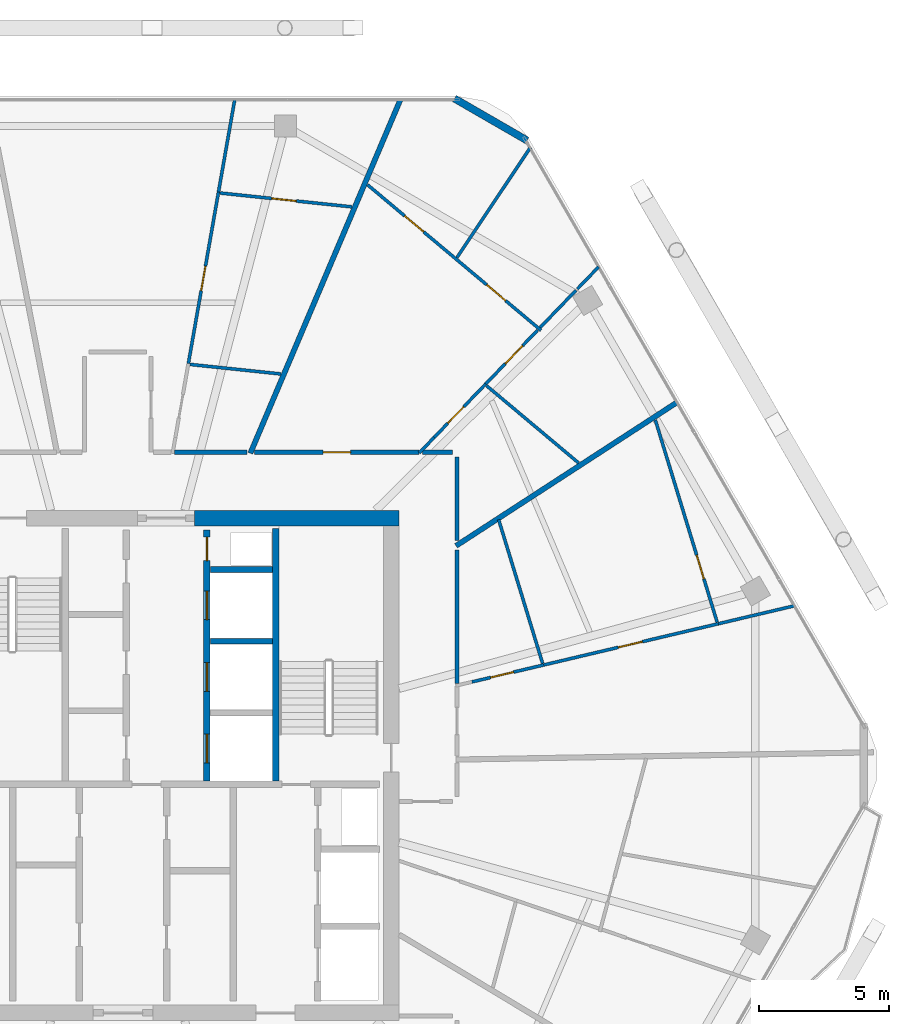
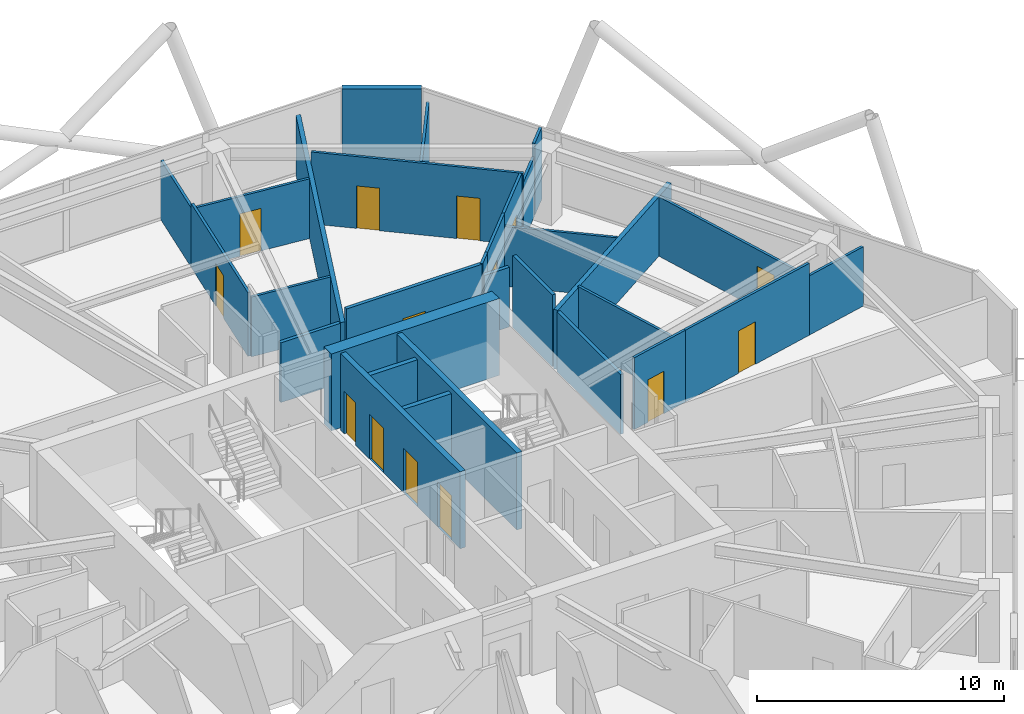
# One storey, part 24 of 29: 30 walls, 14 doors, 14 openings.
"""IFC4 building model written with IfcOpenShell, lengths in metres."""

from ifc_helpers import new_model, si_unit, direction, frame, frame_2d, origin, place, context, subcontext, project, spatial, rectangle, extrude, material, layer, layer_set, type_object, element, fill, save


model = new_model("IFC4")

# Units and contexts
model_context = context("Model", 3, precision=1e-05, world=origin(), true_north=direction((0.0, 1.0)))
body_context = subcontext(model_context, "Body", "Model", "MODEL_VIEW")
ifc_project = project(units=[si_unit("LENGTHUNIT", "METRE"), si_unit("AREAUNIT", "SQUARE_METRE"), si_unit("VOLUMEUNIT", "CUBIC_METRE"), si_unit("PLANEANGLEUNIT", "RADIAN"), si_unit("MASSUNIT", "GRAM", prefix="KILO")], contexts=[model_context])

# Site, building, storey
site_placement = place(None, origin())
site = spatial("IfcSite", under=ifc_project, at=site_placement, CompositionType="ELEMENT")
building_placement = place(site_placement, origin())
building = spatial("IfcBuilding", under=site, at=building_placement, Name="Zuhravey Tower", CompositionType="ELEMENT")
storey_placement = place(building_placement, frame((0.0, 0.0, 292.0)))
storey = spatial("IfcBuildingStorey", under=building, at=storey_placement, Name="L74", CompositionType="ELEMENT", Elevation=292.0)

# Wall
ifc_material_1 = material(Name="Concrete C50/60", Category="concrete")
ifc_layer_1 = layer(ifc_material_1, 0.60009765625)
ifc_layer_set_1 = layer_set([ifc_layer_1], Name="Concrete C50/60")
wall_type_1 = type_object("IfcWallType", Name="Core Shear Wall 600", PredefinedType="SHEAR", material=ifc_layer_set_1)
wall_1_placement = place(storey_placement, frame((46.800048828125, 41.5, 0.0), z_axis=(0.0, 0.0, 1.0), x_axis=(-1.0, 0.0, 0.0)))
element("IfcWall", 1, at=wall_1_placement, inside=storey, type_object=wall_type_1, Name="L74 North-East Core Shear Wall CW60", PredefinedType="SHEAR", context=body_context, shape_type="SweptSolid", body=[
    extrude(rectangle(XDim=7.85009765625, YDim=0.60009765625, at=frame_2d((3.925048828125, 0.0))), origin(), (0.0, 0.0, 1.0), 3.800048828125),
])

# Wall, opening, door
ifc_material_2 = material(Name="Gypsum fire-rated stud partition")
ifc_layer_2 = layer(ifc_material_2, 0.159912109375)
ifc_layer_set_2 = layer_set([ifc_layer_2], Name="Gypsum fire-rated stud partition")
wall_type_2 = type_object("IfcWallType", Name="Corridor Fire Partition 160", PredefinedType="PARTITIONING", material=ifc_layer_set_2)
wall_2_placement = place(storey_placement, frame((47.5732421875, 44.030029296875, 0.0), z_axis=(0.0, 0.0, 1.0), x_axis=(-1.0, 0.0, 0.0)))
wall_2 = element("IfcWall", 2, at=wall_2_placement, inside=storey, type_object=wall_type_2, Name="L74 IW16 Partition 056", PredefinedType="PARTITIONING", context=body_context, shape_type="SweptSolid", body=[
    extrude(rectangle(XDim=6.320556640625, YDim=0.159912109375, at=frame_2d((3.16015625, 0.0))), origin(), (0.0, 0.0, 1.0), 3.550048828125),
])
opening_1_placement = place(wall_2_placement, frame((2.63525390625, 0.0, 0.0)))
opening_1 = element("IfcOpeningElement", 3, at=opening_1_placement, cuts=wall_2, Name="Opening APD1", PredefinedType="OPENING", context=body_context, shape_type="SweptSolid", body=[
    extrude(rectangle(XDim=1.050048828125, YDim=2.14990234375, at=frame_2d((0.52490234375, 1.074951171875))), frame((0.0, 0.092041015625, 0.0), z_axis=(0.0, -1.0, 0.0), x_axis=(1.0, 0.0, 0.0)), (0.0, 0.0, 1.0), 0.183837890625),
])
ifc_material_3 = material(Name="Solid-core oak fire-rated leaf")
door_type_1 = type_object("IfcDoorType", Name="Apartment Entrance Fire Door 1050x2150", OperationType="NOTDEFINED", PredefinedType="DOOR", material=ifc_material_3)
door_1_placement = place(opening_1_placement, frame((1.050048828125, 0.0, 0.0), z_axis=(0.0, 0.0, 1.0), x_axis=(-1.0, 0.0, 0.0)))
door_1 = element("IfcDoor", 4, at=door_1_placement, inside=storey, type_object=door_type_1, Name="L74 Door 056.1", OperationType="SINGLE_SWING_RIGHT", OverallHeight=2.14990234375, OverallWidth=1.050048828125, PredefinedType="DOOR", context=body_context, shape_type="SweptSolid", body=[
    extrude(rectangle(XDim=1.050048828125, YDim=2.14990234375, at=frame_2d((0.52490234375, 1.074951171875))), frame((0.0, 0.02490234375, 0.0), z_axis=(0.0, -1.0, 0.0), x_axis=(1.0, 0.0, 0.0)), (0.0, 0.0, 1.0), 0.050048828125),
])
fill(opening_1, door_1)

# Walls
wall_3_placement = place(storey_placement, frame((49.030029296875, 35.145263671875, 0.0), z_axis=(0.0, 0.0, 1.0), x_axis=(0.0, 1.0, 0.0)))
element("IfcWall", 5, at=wall_3_placement, inside=storey, type_object=wall_type_2, Name="L74 IW16 Partition 123", PredefinedType="PARTITIONING", context=body_context, shape_type="SweptSolid", body=[
    extrude(rectangle(XDim=5.132080078125, YDim=0.159912109375, at=frame_2d((2.56591796875, 0.0))), origin(), (0.0, 0.0, 1.0), 2.949951171875),
])
wall_4_placement = place(storey_placement, frame((49.030029296875, 40.6484375, 0.0), z_axis=(0.0, 0.0, 1.0), x_axis=(0.0, 1.0, 0.0)))
element("IfcWall", 6, at=wall_4_placement, inside=storey, type_object=wall_type_2, Name="L74 IW16 Partition 124", PredefinedType="PARTITIONING", context=body_context, shape_type="SweptSolid", body=[
    extrude(rectangle(XDim=3.20166015625, YDim=0.159912109375, at=frame_2d((1.600830078125, 0.0))), origin(), (0.0, 0.0, 1.0), 3.550048828125),
])
wall_5_placement = place(storey_placement, frame((48.85009765625, 44.030029296875, 0.0), z_axis=(0.0, 0.0, 1.0), x_axis=(-1.0, 0.0, 0.0)))
element("IfcWall", 7, at=wall_5_placement, inside=storey, type_object=wall_type_2, Name="L74 IW16 Partition 125", PredefinedType="PARTITIONING", context=body_context, shape_type="SweptSolid", body=[
    extrude(rectangle(XDim=1.154541015625, YDim=0.159912109375, at=frame_2d((0.5771484375, 0.0))), origin(), (0.0, 0.0, 1.0), 2.949951171875),
])
wall_6_placement = place(storey_placement, frame((40.961181640625, 44.030029296875, 0.0), z_axis=(0.0, 0.0, 1.0), x_axis=(-1.0, 0.0, 0.0)))
element("IfcWall", 8, at=wall_6_placement, inside=storey, type_object=wall_type_2, Name="L74 IW16 Partition 130", PredefinedType="PARTITIONING", context=body_context, shape_type="SweptSolid", body=[
    extrude(rectangle(XDim=2.779541015625, YDim=0.159912109375, at=frame_2d((1.3896484375, 0.0))), origin(), (0.0, 0.0, 1.0), 2.949951171875),
])
ifc_material_4 = material(Name="Precast concrete C40/50", Category="concrete")
ifc_layer_3 = layer(ifc_material_4, 0.280029296875)
ifc_layer_set_3 = layer_set([ifc_layer_3], Name="Precast concrete C40/50")
wall_type_3 = type_object("IfcWallType", Name="Crown Architectural Wall 280", PredefinedType="SOLIDWALL", material=ifc_layer_set_3)
wall_7_placement = place(storey_placement, frame((48.930419921875, 57.611083984375, 0.0), z_axis=(0.0, 0.0, 1.0), x_axis=(0.866028773314, -0.499994163758, 0.0)))
element("IfcWall", 9, at=wall_7_placement, inside=storey, type_object=wall_type_3, Name="L74 Rounded Corner Closure Wall EW28-10", PredefinedType="SOLIDWALL", context=body_context, shape_type="SweptSolid", body=[
    extrude(rectangle(XDim=3.21484375, YDim=0.280029296875, at=frame_2d((1.607421875, 0.0))), origin(), (0.0, 0.0, 1.0), 3.550048828125),
])
ifc_layer_4 = layer(ifc_material_1, 0.25)
ifc_layer_set_4 = layer_set([ifc_layer_4], Name="Concrete C50/60")
wall_type_4 = type_object("IfcWallType", Name="Firefighting Shaft & Stair Wall 250", PredefinedType="SOLIDWALL", material=ifc_layer_set_4)
wall_8_placement = place(storey_placement, frame((42.074951171875, 31.39990234375, 0.0), z_axis=(0.0, 0.0, 1.0), x_axis=(0.0, 1.0, 0.0)))
element("IfcWall", 10, at=wall_8_placement, inside=storey, type_object=wall_type_4, Name="L74 FW25 Shaft Wall 006", PredefinedType="SOLIDWALL", context=body_context, shape_type="SweptSolid", body=[
    extrude(rectangle(XDim=9.7001953125, YDim=0.25, at=frame_2d((4.85009765625, 0.0))), origin(), (0.0, 0.0, 1.0), 3.800048828125),
])

# Wall, openings, doors
wall_9_placement = place(storey_placement, frame((39.425048828125, 31.39990234375, 0.0), z_axis=(0.0, 0.0, 1.0), x_axis=(0.0, 1.0, 0.0)))
wall_9 = element("IfcWall", 11, at=wall_9_placement, inside=storey, type_object=wall_type_4, Name="L74 FW25 Shaft Wall 008", PredefinedType="SOLIDWALL", context=body_context, shape_type="SweptSolid", body=[
    extrude(rectangle(XDim=9.650146484375, YDim=0.25, at=frame_2d((4.8251953125, 0.0))), origin(), (0.0, 0.0, 1.0), 3.800048828125),
])
opening_2_placement = place(wall_9_placement, frame((0.699951171875, 0.0, 0.0)))
opening_2 = element("IfcOpeningElement", 12, at=opening_2_placement, cuts=wall_9, Name="Opening LD1", PredefinedType="OPENING", context=body_context, shape_type="SweptSolid", body=[
    extrude(rectangle(XDim=1.10009765625, YDim=2.199951171875, at=frame_2d((0.550048828125, 1.10009765625))), frame((0.0, 0.136962890625, 0.0), z_axis=(0.0, -1.0, 0.0), x_axis=(1.0, 0.0, 0.0)), (0.0, 0.0, 1.0), 0.27392578125),
])
opening_3_placement = place(wall_9_placement, frame((3.449951171875, 0.0, 0.0)))
opening_3 = element("IfcOpeningElement", 13, at=opening_3_placement, cuts=wall_9, Name="Opening LD1", PredefinedType="OPENING", context=body_context, shape_type="SweptSolid", body=[
    extrude(rectangle(XDim=1.10009765625, YDim=2.199951171875, at=frame_2d((0.550048828125, 1.10009765625))), frame((0.0, 0.136962890625, 0.0), z_axis=(0.0, -1.0, 0.0), x_axis=(1.0, 0.0, 0.0)), (0.0, 0.0, 1.0), 0.27392578125),
])
opening_4_placement = place(wall_9_placement, frame((6.199951171875, 0.0, 0.0)))
opening_4 = element("IfcOpeningElement", 14, at=opening_4_placement, cuts=wall_9, Name="Opening LD1", PredefinedType="OPENING", context=body_context, shape_type="SweptSolid", body=[
    extrude(rectangle(XDim=1.10009765625, YDim=2.199951171875, at=frame_2d((0.550048828125, 1.10009765625))), frame((0.0, 0.136962890625, 0.0), z_axis=(0.0, -1.0, 0.0), x_axis=(1.0, 0.0, 0.0)), (0.0, 0.0, 1.0), 0.27392578125),
])
opening_5_placement = place(wall_9_placement, frame((8.469970703125, 0.0, 0.0)))
opening_5 = element("IfcOpeningElement", 15, at=opening_5_placement, cuts=wall_9, Name="Opening RSD1", PredefinedType="OPENING", context=body_context, shape_type="SweptSolid", body=[
    extrude(rectangle(XDim=0.89990234375, YDim=2.10009765625, at=frame_2d((0.449951171875, 1.050048828125))), frame((0.0, 0.136962890625, 0.0), z_axis=(0.0, -1.0, 0.0), x_axis=(1.0, 0.0, 0.0)), (0.0, 0.0, 1.0), 0.27392578125),
])
ifc_material_5 = material(Name="Brushed stainless steel", Category="steel")
door_type_2 = type_object("IfcDoorType", Name="Lift Landing Sliding Door 1100x2200", OperationType="DOUBLE_DOOR_SLIDING", PredefinedType="DOOR", material=ifc_material_5)
door_2_placement = place(opening_2_placement, origin())
door_2 = element("IfcDoor", 16, at=door_2_placement, inside=storey, type_object=door_type_2, Name="L74 Lift PL7 Landing Door", OperationType="DOUBLE_DOOR_SLIDING", OverallHeight=2.199951171875, OverallWidth=1.10009765625, PredefinedType="DOOR", context=body_context, shape_type="SweptSolid", body=[
    extrude(rectangle(XDim=1.10009765625, YDim=2.199951171875, at=frame_2d((0.550048828125, 1.10009765625))), frame((0.0, 0.02490234375, 0.0), z_axis=(0.0, -1.0, 0.0), x_axis=(1.0, 0.0, 0.0)), (0.0, 0.0, 1.0), 0.050048828125),
])
fill(opening_2, door_2)
door_3_placement = place(opening_3_placement, origin())
door_3 = element("IfcDoor", 17, at=door_3_placement, inside=storey, type_object=door_type_2, Name="L74 Lift PL8 Landing Door", OperationType="DOUBLE_DOOR_SLIDING", OverallHeight=2.199951171875, OverallWidth=1.10009765625, PredefinedType="DOOR", context=body_context, shape_type="SweptSolid", body=[
    extrude(rectangle(XDim=1.10009765625, YDim=2.199951171875, at=frame_2d((0.550048828125, 1.10009765625))), frame((0.0, 0.02490234375, 0.0), z_axis=(0.0, -1.0, 0.0), x_axis=(1.0, 0.0, 0.0)), (0.0, 0.0, 1.0), 0.050048828125),
])
fill(opening_3, door_3)
door_4_placement = place(opening_4_placement, origin())
door_4 = element("IfcDoor", 18, at=door_4_placement, inside=storey, type_object=door_type_2, Name="L74 Lift PL9 Landing Door", OperationType="DOUBLE_DOOR_SLIDING", OverallHeight=2.199951171875, OverallWidth=1.10009765625, PredefinedType="DOOR", context=body_context, shape_type="SweptSolid", body=[
    extrude(rectangle(XDim=1.10009765625, YDim=2.199951171875, at=frame_2d((0.550048828125, 1.10009765625))), frame((0.0, 0.02490234375, 0.0), z_axis=(0.0, -1.0, 0.0), x_axis=(1.0, 0.0, 0.0)), (0.0, 0.0, 1.0), 0.050048828125),
])
fill(opening_4, door_4)
ifc_material_6 = material(Name="Galvanised fire-rated steel access leaf", Category="steel")
door_type_3 = type_object("IfcDoorType", Name="Riser & Shaft Access Fire Door 900x2100", OperationType="NOTDEFINED", PredefinedType="DOOR", material=ifc_material_6)
door_5_placement = place(opening_5_placement, origin())
door_5 = element("IfcDoor", 19, at=door_5_placement, inside=storey, type_object=door_type_3, Name="L74 North Riser Door", OperationType="SINGLE_SWING_LEFT", OverallHeight=2.10009765625, OverallWidth=0.89990234375, PredefinedType="DOOR", context=body_context, shape_type="SweptSolid", body=[
    extrude(rectangle(XDim=0.89990234375, YDim=2.10009765625, at=frame_2d((0.449951171875, 1.050048828125))), frame((0.0, 0.02490234375, 0.0), z_axis=(0.0, -1.0, 0.0), x_axis=(1.0, 0.0, 0.0)), (0.0, 0.0, 1.0), 0.050048828125),
])
fill(opening_5, door_5)

# Walls
ifc_material_7 = material(Name="Gypsum double-stud party assembly")
ifc_layer_5 = layer(ifc_material_7, 0.199951171875)
ifc_layer_set_5 = layer_set([ifc_layer_5], Name="Gypsum double-stud party assembly")
wall_type_5 = type_object("IfcWallType", Name="Inter-Tenancy Party Wall 200", PredefinedType="PARTITIONING", material=ifc_layer_set_5)
wall_10_placement = place(storey_placement, frame((48.989990234375, 40.435791015625, 0.0), z_axis=(0.0, 0.0, 1.0), x_axis=(0.838669748525, 0.54464029681, 0.0)))
element("IfcWall", 20, at=wall_10_placement, inside=storey, type_object=wall_type_5, Name="L74 IW20 Partition 096", PredefinedType="PARTITIONING", context=body_context, shape_type="SweptSolid", body=[
    extrude(rectangle(XDim=10.110107421875, YDim=0.199951171875, at=frame_2d((5.05517578125, 0.0))), origin(), (0.0, 0.0, 1.0), 2.929931640625),
])
wall_11_placement = place(storey_placement, frame((41.089599609375, 43.989990234375, 0.0), z_axis=(0.0, 0.0, 1.0), x_axis=(0.390717789384, 0.920510515453, 0.0)))
element("IfcWall", 21, at=wall_11_placement, inside=storey, type_object=wall_type_5, Name="L74 IW20 Partition 101", PredefinedType="PARTITIONING", context=body_context, shape_type="SweptSolid", body=[
    extrude(rectangle(XDim=14.745849609375, YDim=0.199951171875, at=frame_2d((7.373046875, 0.0))), origin(), (0.0, 0.0, 1.0), 2.929931640625),
])
ifc_material_8 = material(Name="Gypsum acoustic stud assembly")
ifc_layer_6 = layer(ifc_material_8, 0.219970703125)
ifc_layer_set_6 = layer_set([ifc_layer_6], Name="Gypsum acoustic stud assembly")
wall_type_6 = type_object("IfcWallType", Name="School Acoustic Compartment Wall 220", PredefinedType="PARTITIONING", material=ifc_layer_set_6)
for number, where, z_axis, x_axis, name in (
    (22, (39.55810546875, 36.77490234375, 0.0), (0.0, 0.0, 1.0), (1.0, 0.0, 0.0), "L74 IW22 Partition 068"),
    (23, (39.55810546875, 39.52490234375, 0.0), (0.0, 0.0, 1.0), (1.0, 0.0, 0.0), "L74 IW22 Partition 069"),
):
    element("IfcWall", number, at=place(storey_placement, frame(where, z_axis=z_axis, x_axis=x_axis)), inside=storey, type_object=wall_type_6, Name=name, PredefinedType="PARTITIONING", context=body_context, shape_type="SweptSolid", body=[
        extrude(rectangle(XDim=2.3837890625, YDim=0.219970703125, at=frame_2d((1.19189453125, 0.0))), origin(), (0.0, 0.0, 1.0), 3.550048828125),
    ])

# Wall, opening, door
ifc_material_9 = material(Name="Gypsum metal-stud partition")
ifc_layer_7 = layer(ifc_material_9, 0.1201171875)
ifc_layer_set_7 = layer_set([ifc_layer_7], Name="Gypsum metal-stud partition")
wall_type_7 = type_object("IfcWallType", Name="Unit Internal Partition 120", PredefinedType="PARTITIONING", material=ifc_layer_set_7)
wall_12_placement = place(storey_placement, frame((49.60009765625, 35.2099609375, 0.0), z_axis=(0.0, 0.0, 1.0), x_axis=(0.973261007636, 0.229702004812, 0.0)))
wall_12 = element("IfcWall", 24, at=wall_12_placement, inside=storey, type_object=wall_type_7, Name="L74 IW12 Partition 048", PredefinedType="PARTITIONING", context=body_context, shape_type="SweptSolid", body=[
    extrude(rectangle(XDim=2.83349609375, YDim=0.1201171875, at=frame_2d((1.416748046875, 0.0))), origin(), (0.0, 0.0, 1.0), 3.550048828125),
])
opening_6_placement = place(wall_12_placement, frame((0.740234375, 0.0, 0.0)))
opening_6 = element("IfcOpeningElement", 25, at=opening_6_placement, cuts=wall_12, Name="Opening WCD1", PredefinedType="OPENING", context=body_context, shape_type="SweptSolid", body=[
    extrude(rectangle(XDim=0.89990234375, YDim=2.10009765625, at=frame_2d((0.449951171875, 1.050048828125))), frame((0.0, 0.072021484375, 0.0), z_axis=(0.0, -1.0, 0.0), x_axis=(1.0, 0.0, 0.0)), (0.0, 0.0, 1.0), 0.14404296875),
])
ifc_material_10 = material(Name="Moisture-resistant timber leaf", Category="wood")
door_type_4 = type_object("IfcDoorType", Name="Bathroom & WC Internal Door 900x2100", OperationType="NOTDEFINED", PredefinedType="DOOR", material=ifc_material_10)
door_6_placement = place(opening_6_placement, origin())
door_6 = element("IfcDoor", 26, at=door_6_placement, inside=storey, type_object=door_type_4, Name="Apartment L74-06 Bathroom Door", OperationType="SINGLE_SWING_RIGHT", OverallHeight=2.10009765625, OverallWidth=0.89990234375, PredefinedType="DOOR", context=body_context, shape_type="SweptSolid", body=[
    extrude(rectangle(XDim=0.89990234375, YDim=2.10009765625, at=frame_2d((0.449951171875, 1.050048828125))), frame((0.0, 0.02490234375, 0.0), z_axis=(0.0, -1.0, 0.0), x_axis=(1.0, 0.0, 0.0)), (0.0, 0.0, 1.0), 0.050048828125),
])
fill(opening_6, door_6)

wall_13_placement = place(storey_placement, frame((52.35791015625, 35.86083984375, 0.0), z_axis=(0.0, 0.0, 1.0), x_axis=(0.973258867779, 0.229711071324, 0.0)))
wall_13 = element("IfcWall", 27, at=wall_13_placement, inside=storey, type_object=wall_type_7, Name="L74 IW12 Partition 049", PredefinedType="PARTITIONING", context=body_context, shape_type="SweptSolid", body=[
    extrude(rectangle(XDim=6.886962890625, YDim=0.1201171875, at=frame_2d((3.443359375, 0.0))), origin(), (0.0, 0.0, 1.0), 3.550048828125),
])
opening_7_placement = place(wall_13_placement, frame((2.943603515625, 0.0, 0.0)))
opening_7 = element("IfcOpeningElement", 28, at=opening_7_placement, cuts=wall_13, Name="Opening IND1", PredefinedType="OPENING", context=body_context, shape_type="SweptSolid", body=[
    extrude(rectangle(XDim=0.949951171875, YDim=2.10009765625, at=frame_2d((0.47509765625, 1.050048828125))), frame((0.0, 0.072021484375, 0.0), z_axis=(0.0, -1.0, 0.0), x_axis=(1.0, 0.0, 0.0)), (0.0, 0.0, 1.0), 0.14404296875),
])
ifc_material_11 = material(Name="Painted engineered timber leaf", Category="wood")
door_type_5 = type_object("IfcDoorType", Name="Internal Room & Bedroom Door 950x2100", OperationType="NOTDEFINED", PredefinedType="DOOR", material=ifc_material_11)
door_7_placement = place(opening_7_placement, origin())
door_7 = element("IfcDoor", 29, at=door_7_placement, inside=storey, type_object=door_type_5, Name="Apartment L74-06 Home Office Door", OperationType="SINGLE_SWING_LEFT", OverallHeight=2.10009765625, OverallWidth=0.949951171875, PredefinedType="DOOR", context=body_context, shape_type="SweptSolid", body=[
    extrude(rectangle(XDim=0.949951171875, YDim=2.10009765625, at=frame_2d((0.47509765625, 1.050048828125))), frame((0.0, 0.02490234375, 0.0), z_axis=(0.0, -1.0, 0.0), x_axis=(1.0, 0.0, 0.0)), (0.0, 0.0, 1.0), 0.050048828125),
])
fill(opening_7, door_7)

wall_14_placement = place(storey_placement, frame((59.0166015625, 37.502197265625, 0.0), z_axis=(0.0, 0.0, 1.0), x_axis=(-0.292365927027, 0.956306522363, 0.0)))
wall_14 = element("IfcWall", 30, at=wall_14_placement, inside=storey, type_object=wall_type_7, Name="L74 IW12 Partition 050", PredefinedType="PARTITIONING", context=body_context, shape_type="SweptSolid", body=[
    extrude(rectangle(XDim=8.121826171875, YDim=0.1201171875, at=frame_2d((4.06103515625, 0.0))), origin(), (0.0, 0.0, 1.0), 2.929931640625),
])
opening_8_placement = place(wall_14_placement, frame((1.74169921875, 0.0, 0.0)))
opening_8 = element("IfcOpeningElement", 31, at=opening_8_placement, cuts=wall_14, Name="Opening IND1", PredefinedType="OPENING", context=body_context, shape_type="SweptSolid", body=[
    extrude(rectangle(XDim=0.949951171875, YDim=2.10009765625, at=frame_2d((0.47509765625, 1.050048828125))), frame((0.0, 0.072021484375, 0.0), z_axis=(0.0, -1.0, 0.0), x_axis=(1.0, 0.0, 0.0)), (0.0, 0.0, 1.0), 0.14404296875),
])
door_8_placement = place(opening_8_placement, frame((0.949951171875, 0.0, 0.0), z_axis=(0.0, 0.0, 1.0), x_axis=(-1.0, 0.0, 0.0)))
door_8 = element("IfcDoor", 32, at=door_8_placement, inside=storey, type_object=door_type_5, Name="Apartment L74-06 Kitchen Door", OperationType="SINGLE_SWING_RIGHT", OverallHeight=2.10009765625, OverallWidth=0.949951171875, PredefinedType="DOOR", context=body_context, shape_type="SweptSolid", body=[
    extrude(rectangle(XDim=0.949951171875, YDim=2.10009765625, at=frame_2d((0.47509765625, 1.050048828125))), frame((0.0, 0.02490234375, 0.0), z_axis=(0.0, -1.0, 0.0), x_axis=(1.0, 0.0, 0.0)), (0.0, 0.0, 1.0), 0.050048828125),
])
fill(opening_8, door_8)

# Wall, openings, doors
wall_15_placement = place(storey_placement, frame((52.2529296875, 48.709716796875, 0.0), z_axis=(0.0, 0.0, 1.0), x_axis=(-0.766038651281, 0.642794512067, 0.0)))
wall_15 = element("IfcWall", 33, at=wall_15_placement, inside=storey, type_object=wall_type_7, Name="L74 IW12 Partition 052", PredefinedType="PARTITIONING", context=body_context, shape_type="SweptSolid", body=[
    extrude(rectangle(XDim=8.700439453125, YDim=0.1201171875, at=frame_2d((4.35009765625, 0.0))), origin(), (0.0, 0.0, 1.0), 3.550048828125),
])
opening_9_placement = place(wall_15_placement, frame((1.777587890625, 0.0, 0.0)))
opening_9 = element("IfcOpeningElement", 34, at=opening_9_placement, cuts=wall_15, Name="Opening IND1", PredefinedType="OPENING", context=body_context, shape_type="SweptSolid", body=[
    extrude(rectangle(XDim=0.949951171875, YDim=2.10009765625, at=frame_2d((0.47509765625, 1.050048828125))), frame((0.0, 0.072021484375, 0.0), z_axis=(0.0, -1.0, 0.0), x_axis=(1.0, 0.0, 0.0)), (0.0, 0.0, 1.0), 0.14404296875),
])
opening_10_placement = place(wall_15_placement, frame((5.88720703125, 0.0, 0.0)))
opening_10 = element("IfcOpeningElement", 35, at=opening_10_placement, cuts=wall_15, Name="Opening IND1", PredefinedType="OPENING", context=body_context, shape_type="SweptSolid", body=[
    extrude(rectangle(XDim=0.949951171875, YDim=2.10009765625, at=frame_2d((0.47509765625, 1.050048828125))), frame((0.0, 0.072021484375, 0.0), z_axis=(0.0, -1.0, 0.0), x_axis=(1.0, 0.0, 0.0)), (0.0, 0.0, 1.0), 0.14404296875),
])
door_9_placement = place(opening_9_placement, frame((0.949951171875, 0.0, 0.0), z_axis=(0.0, 0.0, 1.0), x_axis=(-1.0, 0.0, 0.0)))
door_9 = element("IfcDoor", 36, at=door_9_placement, inside=storey, type_object=door_type_5, Name="Apartment L74-07 Family Study Door", OperationType="SINGLE_SWING_RIGHT", OverallHeight=2.10009765625, OverallWidth=0.949951171875, PredefinedType="DOOR", context=body_context, shape_type="SweptSolid", body=[
    extrude(rectangle(XDim=0.949951171875, YDim=2.10009765625, at=frame_2d((0.47509765625, 1.050048828125))), frame((0.0, 0.02490234375, 0.0), z_axis=(0.0, -1.0, 0.0), x_axis=(1.0, 0.0, 0.0)), (0.0, 0.0, 1.0), 0.050048828125),
])
fill(opening_9, door_9)
door_10_placement = place(opening_10_placement, frame((0.949951171875, 0.0, 0.0), z_axis=(0.0, 0.0, 1.0), x_axis=(-1.0, 0.0, 0.0)))
door_10 = element("IfcDoor", 37, at=door_10_placement, inside=storey, type_object=door_type_5, Name="Apartment L74-07 Dining Room Door", OperationType="SINGLE_SWING_LEFT", OverallHeight=2.10009765625, OverallWidth=0.949951171875, PredefinedType="DOOR", context=body_context, shape_type="SweptSolid", body=[
    extrude(rectangle(XDim=0.949951171875, YDim=2.10009765625, at=frame_2d((0.47509765625, 1.050048828125))), frame((0.0, 0.02490234375, 0.0), z_axis=(0.0, -1.0, 0.0), x_axis=(1.0, 0.0, 0.0)), (0.0, 0.0, 1.0), 0.050048828125),
])
fill(opening_10, door_10)

# Wall, opening, door
wall_16_placement = place(storey_placement, frame((48.150634765625, 44.60009765625, 0.0), z_axis=(0.0, 0.0, 1.0), x_axis=(0.694200700665, 0.719781485727, 0.0)))
wall_16 = element("IfcWall", 38, at=wall_16_placement, inside=storey, type_object=wall_type_7, Name="L74 IW12 Partition 053", PredefinedType="PARTITIONING", context=body_context, shape_type="SweptSolid", body=[
    extrude(rectangle(XDim=2.843994140625, YDim=0.1201171875, at=frame_2d((1.421875, 0.0))), origin(), (0.0, 0.0, 1.0), 3.550048828125),
])
opening_11_placement = place(wall_16_placement, frame((0.74462890625, 0.0, 0.0)))
opening_11 = element("IfcOpeningElement", 39, at=opening_11_placement, cuts=wall_16, Name="Opening WCD1", PredefinedType="OPENING", context=body_context, shape_type="SweptSolid", body=[
    extrude(rectangle(XDim=0.89990234375, YDim=2.10009765625, at=frame_2d((0.449951171875, 1.050048828125))), frame((0.0, 0.072021484375, 0.0), z_axis=(0.0, -1.0, 0.0), x_axis=(1.0, 0.0, 0.0)), (0.0, 0.0, 1.0), 0.14404296875),
])
door_11_placement = place(opening_11_placement, frame((0.89990234375, 0.0, 0.0), z_axis=(0.0, 0.0, 1.0), x_axis=(-1.0, 0.0, 0.0)))
door_11 = element("IfcDoor", 40, at=door_11_placement, inside=storey, type_object=door_type_4, Name="Apartment L74-07 Bathroom Door", OperationType="SINGLE_SWING_RIGHT", OverallHeight=2.10009765625, OverallWidth=0.89990234375, PredefinedType="DOOR", context=body_context, shape_type="SweptSolid", body=[
    extrude(rectangle(XDim=0.89990234375, YDim=2.10009765625, at=frame_2d((0.449951171875, 1.050048828125))), frame((0.0, 0.02490234375, 0.0), z_axis=(0.0, -1.0, 0.0), x_axis=(1.0, 0.0, 0.0)), (0.0, 0.0, 1.0), 0.050048828125),
])
fill(opening_11, door_11)

wall_17_placement = place(storey_placement, frame((50.125, 46.647216796875, 0.0), z_axis=(0.0, 0.0, 1.0), x_axis=(0.6941778281, 0.719803544708, 0.0)))
wall_17 = element("IfcWall", 41, at=wall_17_placement, inside=storey, type_object=wall_type_7, Name="L74 IW12 Partition 054", PredefinedType="PARTITIONING", context=body_context, shape_type="SweptSolid", body=[
    extrude(rectangle(XDim=2.88671875, YDim=0.1201171875, at=frame_2d((1.443359375, 0.0))), origin(), (0.0, 0.0, 1.0), 3.550048828125),
])
opening_12_placement = place(wall_17_placement, frame((1.09228515625, 0.0, 0.0)))
opening_12 = element("IfcOpeningElement", 42, at=opening_12_placement, cuts=wall_17, Name="Opening IND1", PredefinedType="OPENING", context=body_context, shape_type="SweptSolid", body=[
    extrude(rectangle(XDim=0.949951171875, YDim=2.10009765625, at=frame_2d((0.47509765625, 1.050048828125))), frame((0.0, 0.072021484375, 0.0), z_axis=(0.0, -1.0, 0.0), x_axis=(1.0, 0.0, 0.0)), (0.0, 0.0, 1.0), 0.14404296875),
])
door_12_placement = place(opening_12_placement, frame((0.949951171875, 0.0, 0.0), z_axis=(0.0, 0.0, 1.0), x_axis=(-1.0, 0.0, 0.0)))
door_12 = element("IfcDoor", 43, at=door_12_placement, inside=storey, type_object=door_type_5, Name="Apartment L74-07 Bedroom 1 Door", OperationType="SINGLE_SWING_LEFT", OverallHeight=2.10009765625, OverallWidth=0.949951171875, PredefinedType="DOOR", context=body_context, shape_type="SweptSolid", body=[
    extrude(rectangle(XDim=0.949951171875, YDim=2.10009765625, at=frame_2d((0.47509765625, 1.050048828125))), frame((0.0, 0.02490234375, 0.0), z_axis=(0.0, -1.0, 0.0), x_axis=(1.0, 0.0, 0.0)), (0.0, 0.0, 1.0), 0.050048828125),
])
fill(opening_12, door_12)

# Wall
wall_18_placement = place(storey_placement, frame((52.223388671875, 48.8232421875, 0.0), z_axis=(0.0, 0.0, 1.0), x_axis=(0.694112766322, 0.719866284547, 0.0)))
element("IfcWall", 44, at=wall_18_placement, inside=storey, type_object=wall_type_7, Name="L74 IW12 Partition 055", PredefinedType="PARTITIONING", context=body_context, shape_type="SweptSolid", body=[
    extrude(rectangle(XDim=1.981201171875, YDim=0.1201171875, at=frame_2d((0.99072265625, 0.0))), origin(), (0.0, 0.0, 1.0), 2.929931640625),
])

# Wall, opening, door
wall_19_placement = place(storey_placement, frame((38.710205078125, 47.43359375, 0.0), z_axis=(0.0, 0.0, 1.0), x_axis=(0.172976678648, 0.984925920384, 0.0)))
wall_19 = element("IfcWall", 45, at=wall_19_placement, inside=storey, type_object=wall_type_7, Name="L74 IW12 Partition 058", PredefinedType="PARTITIONING", context=body_context, shape_type="SweptSolid", body=[
    extrude(rectangle(XDim=6.68310546875, YDim=0.1201171875, at=frame_2d((3.341552734375, 0.0))), origin(), (0.0, 0.0, 1.0), 3.14990234375),
])
opening_13_placement = place(wall_19_placement, frame((2.84130859375, 0.0, 0.0)))
opening_13 = element("IfcOpeningElement", 46, at=opening_13_placement, cuts=wall_19, Name="Opening IND1", PredefinedType="OPENING", context=body_context, shape_type="SweptSolid", body=[
    extrude(rectangle(XDim=0.949951171875, YDim=2.10009765625, at=frame_2d((0.47509765625, 1.050048828125))), frame((0.0, 0.072021484375, 0.0), z_axis=(0.0, -1.0, 0.0), x_axis=(1.0, 0.0, 0.0)), (0.0, 0.0, 1.0), 0.14404296875),
])
door_13_placement = place(opening_13_placement, frame((0.949951171875, 0.0, 0.0), z_axis=(0.0, 0.0, 1.0), x_axis=(-1.0, 0.0, 0.0)))
door_13 = element("IfcDoor", 47, at=door_13_placement, inside=storey, type_object=door_type_5, Name="Apartment L74-08 Home Office Door", OperationType="SINGLE_SWING_RIGHT", OverallHeight=2.10009765625, OverallWidth=0.949951171875, PredefinedType="DOOR", context=body_context, shape_type="SweptSolid", body=[
    extrude(rectangle(XDim=0.949951171875, YDim=2.10009765625, at=frame_2d((0.47509765625, 1.050048828125))), frame((0.0, 0.02490234375, 0.0), z_axis=(0.0, -1.0, 0.0), x_axis=(1.0, 0.0, 0.0)), (0.0, 0.0, 1.0), 0.050048828125),
])
fill(opening_13, door_13)

wall_20_placement = place(storey_placement, frame((44.993896484375, 53.451904296875, 0.0), z_axis=(0.0, 0.0, 1.0), x_axis=(-0.994522778287, 0.104520062511, 0.0)))
wall_20 = element("IfcWall", 48, at=wall_20_placement, inside=storey, type_object=wall_type_7, Name="L74 IW12 Partition 059", PredefinedType="PARTITIONING", context=body_context, shape_type="SweptSolid", body=[
    extrude(rectangle(XDim=5.092041015625, YDim=0.1201171875, at=frame_2d((2.5458984375, 0.0))), origin(), (0.0, 0.0, 1.0), 2.949951171875),
])
opening_14_placement = place(wall_20_placement, frame((2.1552734375, 0.0, 0.0)))
opening_14 = element("IfcOpeningElement", 49, at=opening_14_placement, cuts=wall_20, Name="Opening IND1", PredefinedType="OPENING", context=body_context, shape_type="SweptSolid", body=[
    extrude(rectangle(XDim=0.949951171875, YDim=2.10009765625, at=frame_2d((0.47509765625, 1.050048828125))), frame((0.0, 0.072021484375, 0.0), z_axis=(0.0, -1.0, 0.0), x_axis=(1.0, 0.0, 0.0)), (0.0, 0.0, 1.0), 0.14404296875),
])
door_14_placement = place(opening_14_placement, frame((0.949951171875, 0.0, 0.0), z_axis=(0.0, 0.0, 1.0), x_axis=(-1.0, 0.0, 0.0)))
door_14 = element("IfcDoor", 50, at=door_14_placement, inside=storey, type_object=door_type_5, Name="Apartment L74-08 Bedroom 1 Door", OperationType="SINGLE_SWING_LEFT", OverallHeight=2.10009765625, OverallWidth=0.949951171875, PredefinedType="DOOR", context=body_context, shape_type="SweptSolid", body=[
    extrude(rectangle(XDim=0.949951171875, YDim=2.10009765625, at=frame_2d((0.47509765625, 1.050048828125))), frame((0.0, 0.02490234375, 0.0), z_axis=(0.0, -1.0, 0.0), x_axis=(1.0, 0.0, 0.0)), (0.0, 0.0, 1.0), 0.050048828125),
])
fill(opening_14, door_14)

# Walls
wall_21_placement = place(storey_placement, frame((59.060791015625, 37.44287109375, 0.0), z_axis=(0.0, 0.0, 1.0), x_axis=(0.97326763554, 0.229673920178, 0.0)))
element("IfcWall", 51, at=wall_21_placement, inside=storey, type_object=wall_type_7, Name="L74 IW12 Partition 094", PredefinedType="PARTITIONING", context=body_context, shape_type="SweptSolid", body=[
    extrude(rectangle(XDim=3.001953125, YDim=0.1201171875, at=frame_2d((1.5009765625, 0.0))), origin(), (0.0, 0.0, 1.0), 2.929931640625),
])
wall_22_placement = place(storey_placement, frame((52.313720703125, 35.920166015625, 0.0), z_axis=(0.0, 0.0, 1.0), x_axis=(-0.292348629737, 0.95631181039, 0.0)))
element("IfcWall", 52, at=wall_22_placement, inside=storey, type_object=wall_type_7, Name="L74 IW12 Partition 095", PredefinedType="PARTITIONING", context=body_context, shape_type="SweptSolid", body=[
    extrude(rectangle(XDim=5.768798828125, YDim=0.1201171875, at=frame_2d((2.88427734375, 0.0))), origin(), (0.0, 0.0, 1.0), 2.949951171875),
])
wall_23_placement = place(storey_placement, frame((49.024658203125, 51.50732421875, 0.0), z_axis=(0.0, 0.0, 1.0), x_axis=(0.555254005254, 0.83168082198, 0.0)))
element("IfcWall", 53, at=wall_23_placement, inside=storey, type_object=wall_type_7, Name="L74 IW12 Partition 097", PredefinedType="PARTITIONING", context=body_context, shape_type="SweptSolid", body=[
    extrude(rectangle(XDim=5.08544921875, YDim=0.1201171875, at=frame_2d((2.542724609375, 0.0))), origin(), (0.0, 0.0, 1.0), 2.929931640625),
])
wall_24_placement = place(storey_placement, frame((47.5732421875, 44.001220703125, 0.0), z_axis=(0.0, 0.0, 1.0), x_axis=(0.69407582512, 0.719901902334, 0.0)))
element("IfcWall", 54, at=wall_24_placement, inside=storey, type_object=wall_type_7, Name="L74 IW12 Partition 098", PredefinedType="PARTITIONING", context=body_context, shape_type="SweptSolid", body=[
    extrude(rectangle(XDim=0.831787109375, YDim=0.1201171875, at=frame_2d((0.416015625, 0.0))), origin(), (0.0, 0.0, 1.0), 3.550048828125),
])
wall_25_placement = place(storey_placement, frame((53.647216796875, 50.2998046875, 0.0), z_axis=(0.0, 0.0, 1.0), x_axis=(0.694170010819, 0.719811083604, 0.0)))
element("IfcWall", 55, at=wall_25_placement, inside=storey, type_object=wall_type_7, Name="L74 IW12 Partition 099", PredefinedType="PARTITIONING", context=body_context, shape_type="SweptSolid", body=[
    extrude(rectangle(XDim=1.1806640625, YDim=0.1201171875, at=frame_2d((0.59033203125, 0.0))), origin(), (0.0, 0.0, 1.0), 3.550048828125),
])
wall_26_placement = place(storey_placement, frame((53.6943359375, 43.61962890625, 0.0), z_axis=(0.0, 0.0, 1.0), x_axis=(-0.766035202898, 0.642798621593, 0.0)))
element("IfcWall", 56, at=wall_26_placement, inside=storey, type_object=wall_type_7, Name="L74 IW12 Partition 100", PredefinedType="PARTITIONING", context=body_context, shape_type="SweptSolid", body=[
    extrude(rectangle(XDim=4.614013671875, YDim=0.1201171875, at=frame_2d((2.30712890625, 0.0))), origin(), (0.0, 0.0, 1.0), 2.949951171875),
])
wall_27_placement = place(storey_placement, frame((39.8662109375, 54.015869140625, 0.0), z_axis=(0.0, 0.0, 1.0), x_axis=(0.172931953875, 0.984933774083, 0.0)))
element("IfcWall", 57, at=wall_27_placement, inside=storey, type_object=wall_type_7, Name="L74 IW12 Partition 103", PredefinedType="PARTITIONING", context=body_context, shape_type="SweptSolid", body=[
    extrude(rectangle(XDim=3.607177734375, YDim=0.1201171875, at=frame_2d((1.8037109375, 0.0))), origin(), (0.0, 0.0, 1.0), 2.929931640625),
])
wall_28_placement = place(storey_placement, frame((42.2646484375, 47.034912109375, 0.0), z_axis=(0.0, 0.0, 1.0), x_axis=(-0.994521067177, 0.104536342679, 0.0)))
element("IfcWall", 58, at=wall_28_placement, inside=storey, type_object=wall_type_7, Name="L74 IW12 Partition 104", PredefinedType="PARTITIONING", context=body_context, shape_type="SweptSolid", body=[
    extrude(rectangle(XDim=3.51025390625, YDim=0.1201171875, at=frame_2d((1.755126953125, 0.0))), origin(), (0.0, 0.0, 1.0), 2.949951171875),
])

save(model, "model.ifc")
